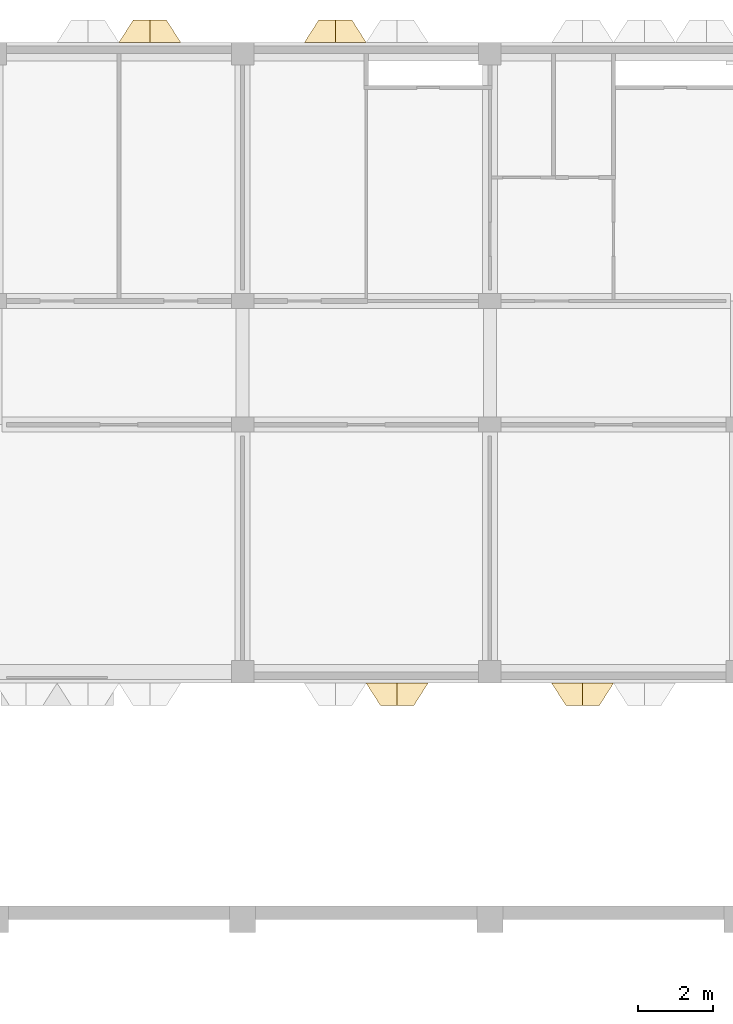
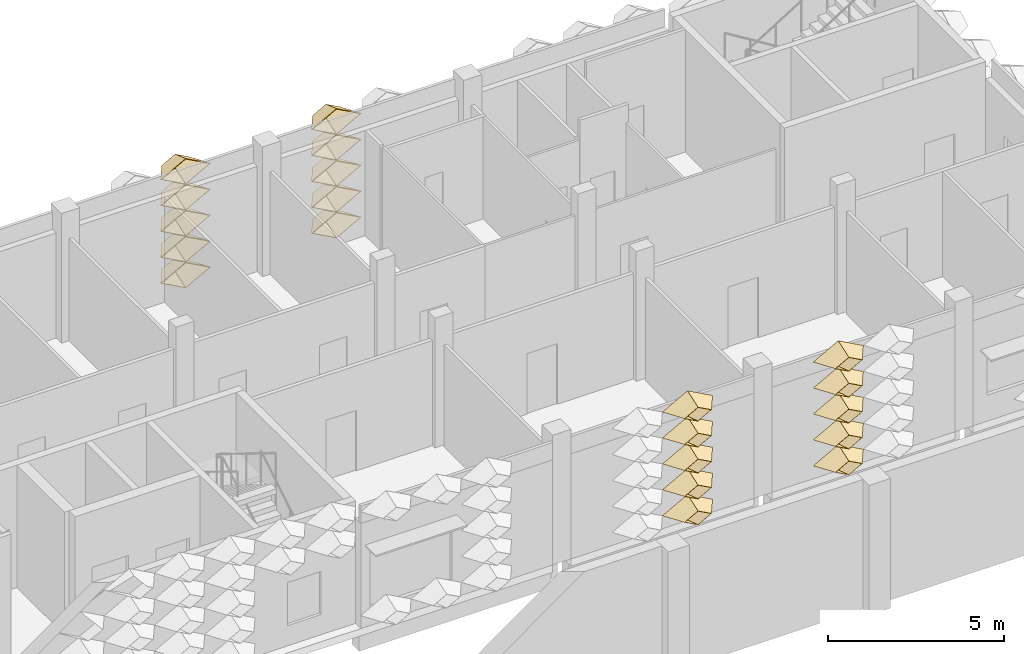
# One storey, part 82 of 87: 20 coverings.
"""IFC4 building model written with IfcOpenShell, lengths in metres."""

from ifc_helpers import new_model, entity, si_unit, direction, frame, origin, place, context, subcontext, project, spatial, material, layer, layer_set, type_object, element, save


model = new_model("IFC4")

# Units and contexts
model_context = context("Model", 3, precision=1e-05, world=origin(), true_north=direction((0.0, 1.0)))
body_context = subcontext(model_context, "Body", "Model", "MODEL_VIEW")
ifc_project = project(units=[si_unit("LENGTHUNIT", "METRE"), si_unit("AREAUNIT", "SQUARE_METRE"), si_unit("VOLUMEUNIT", "CUBIC_METRE"), si_unit("PLANEANGLEUNIT", "RADIAN"), si_unit("MASSUNIT", "GRAM", prefix="KILO")], contexts=[model_context])

# Site, building, storey
site_placement = place(None, origin())
site = spatial("IfcSite", under=ifc_project, at=site_placement, CompositionType="ELEMENT")
building_placement = place(site_placement, origin())
building = spatial("IfcBuilding", under=site, at=building_placement, Name="Lantern Court Research Institute", CompositionType="ELEMENT")
storey_placement = place(building_placement, frame((0.0, 0.0, 5.39990234375)))
storey = spatial("IfcBuildingStorey", under=building, at=storey_placement, Name="L01", CompositionType="ELEMENT", Elevation=5.39990234375)

# Coverings
ifc_material = material(Name="Anodised aluminium", Category="aluminium")
ifc_layer = layer(ifc_material, 0.01611328125)
ifc_layer_set = layer_set([ifc_layer], Name="Anodised aluminium")
covering_type = type_object("IfcCoveringType", Name="Fin cassette 1650 x 900 x 600 aluminium", PredefinedType="CLADDING", material=ifc_layer_set)
covering_1_placement = place(storey_placement, frame((56.925048828125, 99.300048828125, 0.4501953125), z_axis=(0.0, 1.0, 0.0), x_axis=(-1.0, 0.0, 0.0)))
cartesian_point_1 = entity("IfcCartesianPoint", [0.824951171875, 0.0])
cartesian_point_2 = entity("IfcCartesianPoint", [0.79150390625, 0.0])
cartesian_point_3 = entity("IfcCartesianPoint", [0.44189453125, 0.0])
cartesian_point_4 = entity("IfcCartesianPoint", [0.43359375, 0.0])
element("IfcCovering", 1, at=covering_1_placement, inside=storey, type_object=covering_type, Name="Fin cassette V6N-L01 1.35", PredefinedType="CLADDING", context=body_context, shape_type="SweptSolid", body=[
    entity("IfcExtrudedAreaSolidTapered", entity("IfcArbitraryProfileDefWithVoids", "AREA", None, entity("IfcPolyline", [cartesian_point_1, entity("IfcCartesianPoint", [0.0, 0.449951171875]), entity("IfcCartesianPoint", [-0.824951171875, 0.0]), entity("IfcCartesianPoint", [0.0, -0.449951171875]), cartesian_point_1]), [entity("IfcPolyline", [cartesian_point_2, entity("IfcCartesianPoint", [0.0, 0.431884765625]), entity("IfcCartesianPoint", [-0.79150390625, 0.0]), entity("IfcCartesianPoint", [0.0, -0.431884765625]), cartesian_point_2])]), entity("IfcAxis2Placement3D", entity("IfcCartesianPoint", [0.0, 0.0, 0.0])), entity("IfcDirection", [0.0, 0.0, 1.0]), 0.60009765625, entity("IfcArbitraryProfileDefWithVoids", "AREA", None, entity("IfcPolyline", [cartesian_point_3, entity("IfcCartesianPoint", [0.0, 0.240966796875]), entity("IfcCartesianPoint", [-0.44189453125, 0.0]), entity("IfcCartesianPoint", [0.0, -0.240966796875]), cartesian_point_3]), [entity("IfcPolyline", [cartesian_point_4, entity("IfcCartesianPoint", [0.0, 0.236572265625]), entity("IfcCartesianPoint", [-0.43359375, 0.0]), entity("IfcCartesianPoint", [0.0, -0.236572265625]), cartesian_point_4])])),
])
covering_2_placement = place(storey_placement, frame((61.875, 99.300048828125, 0.4501953125), z_axis=(0.0, 1.0, 0.0), x_axis=(-1.0, 0.0, 0.0)))
cartesian_point_5 = entity("IfcCartesianPoint", [0.824951171875, 0.0])
cartesian_point_6 = entity("IfcCartesianPoint", [0.79150390625, 0.0])
cartesian_point_7 = entity("IfcCartesianPoint", [0.44189453125, 0.0])
cartesian_point_8 = entity("IfcCartesianPoint", [0.43359375, 0.0])
element("IfcCovering", 2, at=covering_2_placement, inside=storey, type_object=covering_type, Name="Fin cassette V6N-L01 1.38", PredefinedType="CLADDING", context=body_context, shape_type="SweptSolid", body=[
    entity("IfcExtrudedAreaSolidTapered", entity("IfcArbitraryProfileDefWithVoids", "AREA", None, entity("IfcPolyline", [cartesian_point_5, entity("IfcCartesianPoint", [0.0, 0.449951171875]), entity("IfcCartesianPoint", [-0.824951171875, 0.0]), entity("IfcCartesianPoint", [0.0, -0.449951171875]), cartesian_point_5]), [entity("IfcPolyline", [cartesian_point_6, entity("IfcCartesianPoint", [0.0, 0.431884765625]), entity("IfcCartesianPoint", [-0.79150390625, 0.0]), entity("IfcCartesianPoint", [0.0, -0.431884765625]), cartesian_point_6])]), entity("IfcAxis2Placement3D", entity("IfcCartesianPoint", [0.0, 0.0, 0.0])), entity("IfcDirection", [0.0, 0.0, 1.0]), 0.60009765625, entity("IfcArbitraryProfileDefWithVoids", "AREA", None, entity("IfcPolyline", [cartesian_point_7, entity("IfcCartesianPoint", [0.0, 0.240966796875]), entity("IfcCartesianPoint", [-0.44189453125, 0.0]), entity("IfcCartesianPoint", [0.0, -0.240966796875]), cartesian_point_7]), [entity("IfcPolyline", [cartesian_point_8, entity("IfcCartesianPoint", [0.0, 0.236572265625]), entity("IfcCartesianPoint", [-0.43359375, 0.0]), entity("IfcCartesianPoint", [0.0, -0.236572265625]), cartesian_point_8])])),
])
covering_3_placement = place(storey_placement, frame((56.925048828125, 99.300048828125, 1.35009765625), z_axis=(0.0, 1.0, 0.0), x_axis=(-1.0, 0.0, 0.0)))
cartesian_point_9 = entity("IfcCartesianPoint", [0.824951171875, 0.0])
cartesian_point_10 = entity("IfcCartesianPoint", [0.79150390625, 0.0])
cartesian_point_11 = entity("IfcCartesianPoint", [0.44189453125, 0.0])
cartesian_point_12 = entity("IfcCartesianPoint", [0.43359375, 0.0])
element("IfcCovering", 3, at=covering_3_placement, inside=storey, type_object=covering_type, Name="Fin cassette V6N-L01 2.35", PredefinedType="CLADDING", context=body_context, shape_type="SweptSolid", body=[
    entity("IfcExtrudedAreaSolidTapered", entity("IfcArbitraryProfileDefWithVoids", "AREA", None, entity("IfcPolyline", [cartesian_point_9, entity("IfcCartesianPoint", [0.0, 0.449951171875]), entity("IfcCartesianPoint", [-0.824951171875, 0.0]), entity("IfcCartesianPoint", [0.0, -0.449951171875]), cartesian_point_9]), [entity("IfcPolyline", [cartesian_point_10, entity("IfcCartesianPoint", [0.0, 0.431884765625]), entity("IfcCartesianPoint", [-0.79150390625, 0.0]), entity("IfcCartesianPoint", [0.0, -0.431884765625]), cartesian_point_10])]), entity("IfcAxis2Placement3D", entity("IfcCartesianPoint", [0.0, 0.0, 0.0])), entity("IfcDirection", [0.0, 0.0, 1.0]), 0.60009765625, entity("IfcArbitraryProfileDefWithVoids", "AREA", None, entity("IfcPolyline", [cartesian_point_11, entity("IfcCartesianPoint", [0.0, 0.240966796875]), entity("IfcCartesianPoint", [-0.44189453125, 0.0]), entity("IfcCartesianPoint", [0.0, -0.240966796875]), cartesian_point_11]), [entity("IfcPolyline", [cartesian_point_12, entity("IfcCartesianPoint", [0.0, 0.236572265625]), entity("IfcCartesianPoint", [-0.43359375, 0.0]), entity("IfcCartesianPoint", [0.0, -0.236572265625]), cartesian_point_12])])),
])
covering_4_placement = place(storey_placement, frame((61.875, 99.300048828125, 1.35009765625), z_axis=(0.0, 1.0, 0.0), x_axis=(-1.0, 0.0, 0.0)))
cartesian_point_13 = entity("IfcCartesianPoint", [0.824951171875, 0.0])
cartesian_point_14 = entity("IfcCartesianPoint", [0.79150390625, 0.0])
cartesian_point_15 = entity("IfcCartesianPoint", [0.44189453125, 0.0])
cartesian_point_16 = entity("IfcCartesianPoint", [0.43359375, 0.0])
element("IfcCovering", 4, at=covering_4_placement, inside=storey, type_object=covering_type, Name="Fin cassette V6N-L01 2.38", PredefinedType="CLADDING", context=body_context, shape_type="SweptSolid", body=[
    entity("IfcExtrudedAreaSolidTapered", entity("IfcArbitraryProfileDefWithVoids", "AREA", None, entity("IfcPolyline", [cartesian_point_13, entity("IfcCartesianPoint", [0.0, 0.449951171875]), entity("IfcCartesianPoint", [-0.824951171875, 0.0]), entity("IfcCartesianPoint", [0.0, -0.449951171875]), cartesian_point_13]), [entity("IfcPolyline", [cartesian_point_14, entity("IfcCartesianPoint", [0.0, 0.431884765625]), entity("IfcCartesianPoint", [-0.79150390625, 0.0]), entity("IfcCartesianPoint", [0.0, -0.431884765625]), cartesian_point_14])]), entity("IfcAxis2Placement3D", entity("IfcCartesianPoint", [0.0, 0.0, 0.0])), entity("IfcDirection", [0.0, 0.0, 1.0]), 0.60009765625, entity("IfcArbitraryProfileDefWithVoids", "AREA", None, entity("IfcPolyline", [cartesian_point_15, entity("IfcCartesianPoint", [0.0, 0.240966796875]), entity("IfcCartesianPoint", [-0.44189453125, 0.0]), entity("IfcCartesianPoint", [0.0, -0.240966796875]), cartesian_point_15]), [entity("IfcPolyline", [cartesian_point_16, entity("IfcCartesianPoint", [0.0, 0.236572265625]), entity("IfcCartesianPoint", [-0.43359375, 0.0]), entity("IfcCartesianPoint", [0.0, -0.236572265625]), cartesian_point_16])])),
])
covering_5_placement = place(storey_placement, frame((56.925048828125, 99.300048828125, 2.25), z_axis=(0.0, 1.0, 0.0), x_axis=(-1.0, 0.0, 0.0)))
cartesian_point_17 = entity("IfcCartesianPoint", [0.824951171875, 0.0])
cartesian_point_18 = entity("IfcCartesianPoint", [0.79150390625, 0.0])
cartesian_point_19 = entity("IfcCartesianPoint", [0.44189453125, 0.0])
cartesian_point_20 = entity("IfcCartesianPoint", [0.43359375, 0.0])
element("IfcCovering", 5, at=covering_5_placement, inside=storey, type_object=covering_type, Name="Fin cassette V6N-L01 3.35", PredefinedType="CLADDING", context=body_context, shape_type="SweptSolid", body=[
    entity("IfcExtrudedAreaSolidTapered", entity("IfcArbitraryProfileDefWithVoids", "AREA", None, entity("IfcPolyline", [cartesian_point_17, entity("IfcCartesianPoint", [0.0, 0.449951171875]), entity("IfcCartesianPoint", [-0.824951171875, 0.0]), entity("IfcCartesianPoint", [0.0, -0.449951171875]), cartesian_point_17]), [entity("IfcPolyline", [cartesian_point_18, entity("IfcCartesianPoint", [0.0, 0.431884765625]), entity("IfcCartesianPoint", [-0.79150390625, 0.0]), entity("IfcCartesianPoint", [0.0, -0.431884765625]), cartesian_point_18])]), entity("IfcAxis2Placement3D", entity("IfcCartesianPoint", [0.0, 0.0, 0.0])), entity("IfcDirection", [0.0, 0.0, 1.0]), 0.60009765625, entity("IfcArbitraryProfileDefWithVoids", "AREA", None, entity("IfcPolyline", [cartesian_point_19, entity("IfcCartesianPoint", [0.0, 0.240966796875]), entity("IfcCartesianPoint", [-0.44189453125, 0.0]), entity("IfcCartesianPoint", [0.0, -0.240966796875]), cartesian_point_19]), [entity("IfcPolyline", [cartesian_point_20, entity("IfcCartesianPoint", [0.0, 0.236572265625]), entity("IfcCartesianPoint", [-0.43359375, 0.0]), entity("IfcCartesianPoint", [0.0, -0.236572265625]), cartesian_point_20])])),
])
covering_6_placement = place(storey_placement, frame((61.875, 99.300048828125, 2.25), z_axis=(0.0, 1.0, 0.0), x_axis=(-1.0, 0.0, 0.0)))
cartesian_point_21 = entity("IfcCartesianPoint", [0.824951171875, 0.0])
cartesian_point_22 = entity("IfcCartesianPoint", [0.79150390625, 0.0])
cartesian_point_23 = entity("IfcCartesianPoint", [0.44189453125, 0.0])
cartesian_point_24 = entity("IfcCartesianPoint", [0.43359375, 0.0])
element("IfcCovering", 6, at=covering_6_placement, inside=storey, type_object=covering_type, Name="Fin cassette V6N-L01 3.38", PredefinedType="CLADDING", context=body_context, shape_type="SweptSolid", body=[
    entity("IfcExtrudedAreaSolidTapered", entity("IfcArbitraryProfileDefWithVoids", "AREA", None, entity("IfcPolyline", [cartesian_point_21, entity("IfcCartesianPoint", [0.0, 0.449951171875]), entity("IfcCartesianPoint", [-0.824951171875, 0.0]), entity("IfcCartesianPoint", [0.0, -0.449951171875]), cartesian_point_21]), [entity("IfcPolyline", [cartesian_point_22, entity("IfcCartesianPoint", [0.0, 0.431884765625]), entity("IfcCartesianPoint", [-0.79150390625, 0.0]), entity("IfcCartesianPoint", [0.0, -0.431884765625]), cartesian_point_22])]), entity("IfcAxis2Placement3D", entity("IfcCartesianPoint", [0.0, 0.0, 0.0])), entity("IfcDirection", [0.0, 0.0, 1.0]), 0.60009765625, entity("IfcArbitraryProfileDefWithVoids", "AREA", None, entity("IfcPolyline", [cartesian_point_23, entity("IfcCartesianPoint", [0.0, 0.240966796875]), entity("IfcCartesianPoint", [-0.44189453125, 0.0]), entity("IfcCartesianPoint", [0.0, -0.240966796875]), cartesian_point_23]), [entity("IfcPolyline", [cartesian_point_24, entity("IfcCartesianPoint", [0.0, 0.236572265625]), entity("IfcCartesianPoint", [-0.43359375, 0.0]), entity("IfcCartesianPoint", [0.0, -0.236572265625]), cartesian_point_24])])),
])
covering_7_placement = place(storey_placement, frame((56.925048828125, 99.300048828125, 3.150146484375), z_axis=(0.0, 1.0, 0.0), x_axis=(-1.0, 0.0, 0.0)))
cartesian_point_25 = entity("IfcCartesianPoint", [0.824951171875, 0.0])
cartesian_point_26 = entity("IfcCartesianPoint", [0.79150390625, 0.0])
cartesian_point_27 = entity("IfcCartesianPoint", [0.44189453125, 0.0])
cartesian_point_28 = entity("IfcCartesianPoint", [0.43359375, 0.0])
element("IfcCovering", 7, at=covering_7_placement, inside=storey, type_object=covering_type, Name="Fin cassette V6N-L01 4.35", PredefinedType="CLADDING", context=body_context, shape_type="SweptSolid", body=[
    entity("IfcExtrudedAreaSolidTapered", entity("IfcArbitraryProfileDefWithVoids", "AREA", None, entity("IfcPolyline", [cartesian_point_25, entity("IfcCartesianPoint", [0.0, 0.449951171875]), entity("IfcCartesianPoint", [-0.824951171875, 0.0]), entity("IfcCartesianPoint", [0.0, -0.449951171875]), cartesian_point_25]), [entity("IfcPolyline", [cartesian_point_26, entity("IfcCartesianPoint", [0.0, 0.431884765625]), entity("IfcCartesianPoint", [-0.79150390625, 0.0]), entity("IfcCartesianPoint", [0.0, -0.431884765625]), cartesian_point_26])]), entity("IfcAxis2Placement3D", entity("IfcCartesianPoint", [0.0, 0.0, 0.0])), entity("IfcDirection", [0.0, 0.0, 1.0]), 0.60009765625, entity("IfcArbitraryProfileDefWithVoids", "AREA", None, entity("IfcPolyline", [cartesian_point_27, entity("IfcCartesianPoint", [0.0, 0.240966796875]), entity("IfcCartesianPoint", [-0.44189453125, 0.0]), entity("IfcCartesianPoint", [0.0, -0.240966796875]), cartesian_point_27]), [entity("IfcPolyline", [cartesian_point_28, entity("IfcCartesianPoint", [0.0, 0.236572265625]), entity("IfcCartesianPoint", [-0.43359375, 0.0]), entity("IfcCartesianPoint", [0.0, -0.236572265625]), cartesian_point_28])])),
])
covering_8_placement = place(storey_placement, frame((61.875, 99.300048828125, 3.150146484375), z_axis=(0.0, 1.0, 0.0), x_axis=(-1.0, 0.0, 0.0)))
cartesian_point_29 = entity("IfcCartesianPoint", [0.824951171875, 0.0])
cartesian_point_30 = entity("IfcCartesianPoint", [0.79150390625, 0.0])
cartesian_point_31 = entity("IfcCartesianPoint", [0.44189453125, 0.0])
cartesian_point_32 = entity("IfcCartesianPoint", [0.43359375, 0.0])
element("IfcCovering", 8, at=covering_8_placement, inside=storey, type_object=covering_type, Name="Fin cassette V6N-L01 4.38", PredefinedType="CLADDING", context=body_context, shape_type="SweptSolid", body=[
    entity("IfcExtrudedAreaSolidTapered", entity("IfcArbitraryProfileDefWithVoids", "AREA", None, entity("IfcPolyline", [cartesian_point_29, entity("IfcCartesianPoint", [0.0, 0.449951171875]), entity("IfcCartesianPoint", [-0.824951171875, 0.0]), entity("IfcCartesianPoint", [0.0, -0.449951171875]), cartesian_point_29]), [entity("IfcPolyline", [cartesian_point_30, entity("IfcCartesianPoint", [0.0, 0.431884765625]), entity("IfcCartesianPoint", [-0.79150390625, 0.0]), entity("IfcCartesianPoint", [0.0, -0.431884765625]), cartesian_point_30])]), entity("IfcAxis2Placement3D", entity("IfcCartesianPoint", [0.0, 0.0, 0.0])), entity("IfcDirection", [0.0, 0.0, 1.0]), 0.60009765625, entity("IfcArbitraryProfileDefWithVoids", "AREA", None, entity("IfcPolyline", [cartesian_point_31, entity("IfcCartesianPoint", [0.0, 0.240966796875]), entity("IfcCartesianPoint", [-0.44189453125, 0.0]), entity("IfcCartesianPoint", [0.0, -0.240966796875]), cartesian_point_31]), [entity("IfcPolyline", [cartesian_point_32, entity("IfcCartesianPoint", [0.0, 0.236572265625]), entity("IfcCartesianPoint", [-0.43359375, 0.0]), entity("IfcCartesianPoint", [0.0, -0.236572265625]), cartesian_point_32])])),
])
covering_9_placement = place(storey_placement, frame((56.925048828125, 99.300048828125, 4.050048828125), z_axis=(0.0, 1.0, 0.0), x_axis=(-1.0, 0.0, 0.0)))
cartesian_point_33 = entity("IfcCartesianPoint", [0.824951171875, 0.0])
cartesian_point_34 = entity("IfcCartesianPoint", [0.79150390625, 0.0])
cartesian_point_35 = entity("IfcCartesianPoint", [0.44189453125, 0.0])
cartesian_point_36 = entity("IfcCartesianPoint", [0.43359375, 0.0])
element("IfcCovering", 9, at=covering_9_placement, inside=storey, type_object=covering_type, Name="Fin cassette V6N-L01 5.35", PredefinedType="CLADDING", context=body_context, shape_type="SweptSolid", body=[
    entity("IfcExtrudedAreaSolidTapered", entity("IfcArbitraryProfileDefWithVoids", "AREA", None, entity("IfcPolyline", [cartesian_point_33, entity("IfcCartesianPoint", [0.0, 0.449951171875]), entity("IfcCartesianPoint", [-0.824951171875, 0.0]), entity("IfcCartesianPoint", [0.0, -0.449951171875]), cartesian_point_33]), [entity("IfcPolyline", [cartesian_point_34, entity("IfcCartesianPoint", [0.0, 0.431884765625]), entity("IfcCartesianPoint", [-0.79150390625, 0.0]), entity("IfcCartesianPoint", [0.0, -0.431884765625]), cartesian_point_34])]), entity("IfcAxis2Placement3D", entity("IfcCartesianPoint", [0.0, 0.0, 0.0])), entity("IfcDirection", [0.0, 0.0, 1.0]), 0.60009765625, entity("IfcArbitraryProfileDefWithVoids", "AREA", None, entity("IfcPolyline", [cartesian_point_35, entity("IfcCartesianPoint", [0.0, 0.240966796875]), entity("IfcCartesianPoint", [-0.44189453125, 0.0]), entity("IfcCartesianPoint", [0.0, -0.240966796875]), cartesian_point_35]), [entity("IfcPolyline", [cartesian_point_36, entity("IfcCartesianPoint", [0.0, 0.236572265625]), entity("IfcCartesianPoint", [-0.43359375, 0.0]), entity("IfcCartesianPoint", [0.0, -0.236572265625]), cartesian_point_36])])),
])
covering_10_placement = place(storey_placement, frame((61.875, 99.300048828125, 4.050048828125), z_axis=(0.0, 1.0, 0.0), x_axis=(-1.0, 0.0, 0.0)))
cartesian_point_37 = entity("IfcCartesianPoint", [0.824951171875, 0.0])
cartesian_point_38 = entity("IfcCartesianPoint", [0.79150390625, 0.0])
cartesian_point_39 = entity("IfcCartesianPoint", [0.44189453125, 0.0])
cartesian_point_40 = entity("IfcCartesianPoint", [0.43359375, 0.0])
element("IfcCovering", 10, at=covering_10_placement, inside=storey, type_object=covering_type, Name="Fin cassette V6N-L01 5.38", PredefinedType="CLADDING", context=body_context, shape_type="SweptSolid", body=[
    entity("IfcExtrudedAreaSolidTapered", entity("IfcArbitraryProfileDefWithVoids", "AREA", None, entity("IfcPolyline", [cartesian_point_37, entity("IfcCartesianPoint", [0.0, 0.449951171875]), entity("IfcCartesianPoint", [-0.824951171875, 0.0]), entity("IfcCartesianPoint", [0.0, -0.449951171875]), cartesian_point_37]), [entity("IfcPolyline", [cartesian_point_38, entity("IfcCartesianPoint", [0.0, 0.431884765625]), entity("IfcCartesianPoint", [-0.79150390625, 0.0]), entity("IfcCartesianPoint", [0.0, -0.431884765625]), cartesian_point_38])]), entity("IfcAxis2Placement3D", entity("IfcCartesianPoint", [0.0, 0.0, 0.0])), entity("IfcDirection", [0.0, 0.0, 1.0]), 0.60009765625, entity("IfcArbitraryProfileDefWithVoids", "AREA", None, entity("IfcPolyline", [cartesian_point_39, entity("IfcCartesianPoint", [0.0, 0.240966796875]), entity("IfcCartesianPoint", [-0.44189453125, 0.0]), entity("IfcCartesianPoint", [0.0, -0.240966796875]), cartesian_point_39]), [entity("IfcPolyline", [cartesian_point_40, entity("IfcCartesianPoint", [0.0, 0.236572265625]), entity("IfcCartesianPoint", [-0.43359375, 0.0]), entity("IfcCartesianPoint", [0.0, -0.236572265625]), cartesian_point_40])])),
])
covering_11_placement = place(storey_placement, frame((63.52490234375, 82.199951171875, 0.4501953125), z_axis=(0.0, -1.0, 0.0), x_axis=(1.0, 0.0, 0.0)))
cartesian_point_41 = entity("IfcCartesianPoint", [0.824951171875, 0.0])
cartesian_point_42 = entity("IfcCartesianPoint", [0.79150390625, 0.0])
cartesian_point_43 = entity("IfcCartesianPoint", [0.44189453125, 0.0])
cartesian_point_44 = entity("IfcCartesianPoint", [0.43359375, 0.0])
element("IfcCovering", 11, at=covering_11_placement, inside=storey, type_object=covering_type, Name="Fin cassette V6S-L01 1.39", PredefinedType="CLADDING", context=body_context, shape_type="SweptSolid", body=[
    entity("IfcExtrudedAreaSolidTapered", entity("IfcArbitraryProfileDefWithVoids", "AREA", None, entity("IfcPolyline", [cartesian_point_41, entity("IfcCartesianPoint", [0.0, 0.449951171875]), entity("IfcCartesianPoint", [-0.824951171875, 0.0]), entity("IfcCartesianPoint", [0.0, -0.449951171875]), cartesian_point_41]), [entity("IfcPolyline", [cartesian_point_42, entity("IfcCartesianPoint", [0.0, 0.431884765625]), entity("IfcCartesianPoint", [-0.79150390625, 0.0]), entity("IfcCartesianPoint", [0.0, -0.431884765625]), cartesian_point_42])]), entity("IfcAxis2Placement3D", entity("IfcCartesianPoint", [0.0, 0.0, 0.0])), entity("IfcDirection", [0.0, 0.0, 1.0]), 0.60009765625, entity("IfcArbitraryProfileDefWithVoids", "AREA", None, entity("IfcPolyline", [cartesian_point_43, entity("IfcCartesianPoint", [0.0, 0.240966796875]), entity("IfcCartesianPoint", [-0.44189453125, 0.0]), entity("IfcCartesianPoint", [0.0, -0.240966796875]), cartesian_point_43]), [entity("IfcPolyline", [cartesian_point_44, entity("IfcCartesianPoint", [0.0, 0.236572265625]), entity("IfcCartesianPoint", [-0.43359375, 0.0]), entity("IfcCartesianPoint", [0.0, -0.236572265625]), cartesian_point_44])])),
])
covering_12_placement = place(storey_placement, frame((68.47509765625, 82.199951171875, 0.4501953125), z_axis=(0.0, -1.0, 0.0), x_axis=(1.0, 0.0, 0.0)))
cartesian_point_45 = entity("IfcCartesianPoint", [0.824951171875, 0.0])
cartesian_point_46 = entity("IfcCartesianPoint", [0.79150390625, 0.0])
cartesian_point_47 = entity("IfcCartesianPoint", [0.44189453125, 0.0])
cartesian_point_48 = entity("IfcCartesianPoint", [0.43359375, 0.0])
element("IfcCovering", 12, at=covering_12_placement, inside=storey, type_object=covering_type, Name="Fin cassette V6S-L01 1.42", PredefinedType="CLADDING", context=body_context, shape_type="SweptSolid", body=[
    entity("IfcExtrudedAreaSolidTapered", entity("IfcArbitraryProfileDefWithVoids", "AREA", None, entity("IfcPolyline", [cartesian_point_45, entity("IfcCartesianPoint", [0.0, 0.449951171875]), entity("IfcCartesianPoint", [-0.824951171875, 0.0]), entity("IfcCartesianPoint", [0.0, -0.449951171875]), cartesian_point_45]), [entity("IfcPolyline", [cartesian_point_46, entity("IfcCartesianPoint", [0.0, 0.431884765625]), entity("IfcCartesianPoint", [-0.79150390625, 0.0]), entity("IfcCartesianPoint", [0.0, -0.431884765625]), cartesian_point_46])]), entity("IfcAxis2Placement3D", entity("IfcCartesianPoint", [0.0, 0.0, 0.0])), entity("IfcDirection", [0.0, 0.0, 1.0]), 0.60009765625, entity("IfcArbitraryProfileDefWithVoids", "AREA", None, entity("IfcPolyline", [cartesian_point_47, entity("IfcCartesianPoint", [0.0, 0.240966796875]), entity("IfcCartesianPoint", [-0.44189453125, 0.0]), entity("IfcCartesianPoint", [0.0, -0.240966796875]), cartesian_point_47]), [entity("IfcPolyline", [cartesian_point_48, entity("IfcCartesianPoint", [0.0, 0.236572265625]), entity("IfcCartesianPoint", [-0.43359375, 0.0]), entity("IfcCartesianPoint", [0.0, -0.236572265625]), cartesian_point_48])])),
])
covering_13_placement = place(storey_placement, frame((63.52490234375, 82.199951171875, 1.35009765625), z_axis=(0.0, -1.0, 0.0), x_axis=(1.0, 0.0, 0.0)))
cartesian_point_49 = entity("IfcCartesianPoint", [0.824951171875, 0.0])
cartesian_point_50 = entity("IfcCartesianPoint", [0.79150390625, 0.0])
cartesian_point_51 = entity("IfcCartesianPoint", [0.44189453125, 0.0])
cartesian_point_52 = entity("IfcCartesianPoint", [0.43359375, 0.0])
element("IfcCovering", 13, at=covering_13_placement, inside=storey, type_object=covering_type, Name="Fin cassette V6S-L01 2.39", PredefinedType="CLADDING", context=body_context, shape_type="SweptSolid", body=[
    entity("IfcExtrudedAreaSolidTapered", entity("IfcArbitraryProfileDefWithVoids", "AREA", None, entity("IfcPolyline", [cartesian_point_49, entity("IfcCartesianPoint", [0.0, 0.449951171875]), entity("IfcCartesianPoint", [-0.824951171875, 0.0]), entity("IfcCartesianPoint", [0.0, -0.449951171875]), cartesian_point_49]), [entity("IfcPolyline", [cartesian_point_50, entity("IfcCartesianPoint", [0.0, 0.431884765625]), entity("IfcCartesianPoint", [-0.79150390625, 0.0]), entity("IfcCartesianPoint", [0.0, -0.431884765625]), cartesian_point_50])]), entity("IfcAxis2Placement3D", entity("IfcCartesianPoint", [0.0, 0.0, 0.0])), entity("IfcDirection", [0.0, 0.0, 1.0]), 0.60009765625, entity("IfcArbitraryProfileDefWithVoids", "AREA", None, entity("IfcPolyline", [cartesian_point_51, entity("IfcCartesianPoint", [0.0, 0.240966796875]), entity("IfcCartesianPoint", [-0.44189453125, 0.0]), entity("IfcCartesianPoint", [0.0, -0.240966796875]), cartesian_point_51]), [entity("IfcPolyline", [cartesian_point_52, entity("IfcCartesianPoint", [0.0, 0.236572265625]), entity("IfcCartesianPoint", [-0.43359375, 0.0]), entity("IfcCartesianPoint", [0.0, -0.236572265625]), cartesian_point_52])])),
])
covering_14_placement = place(storey_placement, frame((68.47509765625, 82.199951171875, 1.35009765625), z_axis=(0.0, -1.0, 0.0), x_axis=(1.0, 0.0, 0.0)))
cartesian_point_53 = entity("IfcCartesianPoint", [0.824951171875, 0.0])
cartesian_point_54 = entity("IfcCartesianPoint", [0.79150390625, 0.0])
cartesian_point_55 = entity("IfcCartesianPoint", [0.44189453125, 0.0])
cartesian_point_56 = entity("IfcCartesianPoint", [0.43359375, 0.0])
element("IfcCovering", 14, at=covering_14_placement, inside=storey, type_object=covering_type, Name="Fin cassette V6S-L01 2.42", PredefinedType="CLADDING", context=body_context, shape_type="SweptSolid", body=[
    entity("IfcExtrudedAreaSolidTapered", entity("IfcArbitraryProfileDefWithVoids", "AREA", None, entity("IfcPolyline", [cartesian_point_53, entity("IfcCartesianPoint", [0.0, 0.449951171875]), entity("IfcCartesianPoint", [-0.824951171875, 0.0]), entity("IfcCartesianPoint", [0.0, -0.449951171875]), cartesian_point_53]), [entity("IfcPolyline", [cartesian_point_54, entity("IfcCartesianPoint", [0.0, 0.431884765625]), entity("IfcCartesianPoint", [-0.79150390625, 0.0]), entity("IfcCartesianPoint", [0.0, -0.431884765625]), cartesian_point_54])]), entity("IfcAxis2Placement3D", entity("IfcCartesianPoint", [0.0, 0.0, 0.0])), entity("IfcDirection", [0.0, 0.0, 1.0]), 0.60009765625, entity("IfcArbitraryProfileDefWithVoids", "AREA", None, entity("IfcPolyline", [cartesian_point_55, entity("IfcCartesianPoint", [0.0, 0.240966796875]), entity("IfcCartesianPoint", [-0.44189453125, 0.0]), entity("IfcCartesianPoint", [0.0, -0.240966796875]), cartesian_point_55]), [entity("IfcPolyline", [cartesian_point_56, entity("IfcCartesianPoint", [0.0, 0.236572265625]), entity("IfcCartesianPoint", [-0.43359375, 0.0]), entity("IfcCartesianPoint", [0.0, -0.236572265625]), cartesian_point_56])])),
])
covering_15_placement = place(storey_placement, frame((63.52490234375, 82.199951171875, 2.25), z_axis=(0.0, -1.0, 0.0), x_axis=(1.0, 0.0, 0.0)))
cartesian_point_57 = entity("IfcCartesianPoint", [0.824951171875, 0.0])
cartesian_point_58 = entity("IfcCartesianPoint", [0.79150390625, 0.0])
cartesian_point_59 = entity("IfcCartesianPoint", [0.44189453125, 0.0])
cartesian_point_60 = entity("IfcCartesianPoint", [0.43359375, 0.0])
element("IfcCovering", 15, at=covering_15_placement, inside=storey, type_object=covering_type, Name="Fin cassette V6S-L01 3.39", PredefinedType="CLADDING", context=body_context, shape_type="SweptSolid", body=[
    entity("IfcExtrudedAreaSolidTapered", entity("IfcArbitraryProfileDefWithVoids", "AREA", None, entity("IfcPolyline", [cartesian_point_57, entity("IfcCartesianPoint", [0.0, 0.449951171875]), entity("IfcCartesianPoint", [-0.824951171875, 0.0]), entity("IfcCartesianPoint", [0.0, -0.449951171875]), cartesian_point_57]), [entity("IfcPolyline", [cartesian_point_58, entity("IfcCartesianPoint", [0.0, 0.431884765625]), entity("IfcCartesianPoint", [-0.79150390625, 0.0]), entity("IfcCartesianPoint", [0.0, -0.431884765625]), cartesian_point_58])]), entity("IfcAxis2Placement3D", entity("IfcCartesianPoint", [0.0, 0.0, 0.0])), entity("IfcDirection", [0.0, 0.0, 1.0]), 0.60009765625, entity("IfcArbitraryProfileDefWithVoids", "AREA", None, entity("IfcPolyline", [cartesian_point_59, entity("IfcCartesianPoint", [0.0, 0.240966796875]), entity("IfcCartesianPoint", [-0.44189453125, 0.0]), entity("IfcCartesianPoint", [0.0, -0.240966796875]), cartesian_point_59]), [entity("IfcPolyline", [cartesian_point_60, entity("IfcCartesianPoint", [0.0, 0.236572265625]), entity("IfcCartesianPoint", [-0.43359375, 0.0]), entity("IfcCartesianPoint", [0.0, -0.236572265625]), cartesian_point_60])])),
])
covering_16_placement = place(storey_placement, frame((68.47509765625, 82.199951171875, 2.25), z_axis=(0.0, -1.0, 0.0), x_axis=(1.0, 0.0, 0.0)))
cartesian_point_61 = entity("IfcCartesianPoint", [0.824951171875, 0.0])
cartesian_point_62 = entity("IfcCartesianPoint", [0.79150390625, 0.0])
cartesian_point_63 = entity("IfcCartesianPoint", [0.44189453125, 0.0])
cartesian_point_64 = entity("IfcCartesianPoint", [0.43359375, 0.0])
element("IfcCovering", 16, at=covering_16_placement, inside=storey, type_object=covering_type, Name="Fin cassette V6S-L01 3.42", PredefinedType="CLADDING", context=body_context, shape_type="SweptSolid", body=[
    entity("IfcExtrudedAreaSolidTapered", entity("IfcArbitraryProfileDefWithVoids", "AREA", None, entity("IfcPolyline", [cartesian_point_61, entity("IfcCartesianPoint", [0.0, 0.449951171875]), entity("IfcCartesianPoint", [-0.824951171875, 0.0]), entity("IfcCartesianPoint", [0.0, -0.449951171875]), cartesian_point_61]), [entity("IfcPolyline", [cartesian_point_62, entity("IfcCartesianPoint", [0.0, 0.431884765625]), entity("IfcCartesianPoint", [-0.79150390625, 0.0]), entity("IfcCartesianPoint", [0.0, -0.431884765625]), cartesian_point_62])]), entity("IfcAxis2Placement3D", entity("IfcCartesianPoint", [0.0, 0.0, 0.0])), entity("IfcDirection", [0.0, 0.0, 1.0]), 0.60009765625, entity("IfcArbitraryProfileDefWithVoids", "AREA", None, entity("IfcPolyline", [cartesian_point_63, entity("IfcCartesianPoint", [0.0, 0.240966796875]), entity("IfcCartesianPoint", [-0.44189453125, 0.0]), entity("IfcCartesianPoint", [0.0, -0.240966796875]), cartesian_point_63]), [entity("IfcPolyline", [cartesian_point_64, entity("IfcCartesianPoint", [0.0, 0.236572265625]), entity("IfcCartesianPoint", [-0.43359375, 0.0]), entity("IfcCartesianPoint", [0.0, -0.236572265625]), cartesian_point_64])])),
])
covering_17_placement = place(storey_placement, frame((63.52490234375, 82.199951171875, 3.150146484375), z_axis=(0.0, -1.0, 0.0), x_axis=(1.0, 0.0, 0.0)))
cartesian_point_65 = entity("IfcCartesianPoint", [0.824951171875, 0.0])
cartesian_point_66 = entity("IfcCartesianPoint", [0.79150390625, 0.0])
cartesian_point_67 = entity("IfcCartesianPoint", [0.44189453125, 0.0])
cartesian_point_68 = entity("IfcCartesianPoint", [0.43359375, 0.0])
element("IfcCovering", 17, at=covering_17_placement, inside=storey, type_object=covering_type, Name="Fin cassette V6S-L01 4.39", PredefinedType="CLADDING", context=body_context, shape_type="SweptSolid", body=[
    entity("IfcExtrudedAreaSolidTapered", entity("IfcArbitraryProfileDefWithVoids", "AREA", None, entity("IfcPolyline", [cartesian_point_65, entity("IfcCartesianPoint", [0.0, 0.449951171875]), entity("IfcCartesianPoint", [-0.824951171875, 0.0]), entity("IfcCartesianPoint", [0.0, -0.449951171875]), cartesian_point_65]), [entity("IfcPolyline", [cartesian_point_66, entity("IfcCartesianPoint", [0.0, 0.431884765625]), entity("IfcCartesianPoint", [-0.79150390625, 0.0]), entity("IfcCartesianPoint", [0.0, -0.431884765625]), cartesian_point_66])]), entity("IfcAxis2Placement3D", entity("IfcCartesianPoint", [0.0, 0.0, 0.0])), entity("IfcDirection", [0.0, 0.0, 1.0]), 0.60009765625, entity("IfcArbitraryProfileDefWithVoids", "AREA", None, entity("IfcPolyline", [cartesian_point_67, entity("IfcCartesianPoint", [0.0, 0.240966796875]), entity("IfcCartesianPoint", [-0.44189453125, 0.0]), entity("IfcCartesianPoint", [0.0, -0.240966796875]), cartesian_point_67]), [entity("IfcPolyline", [cartesian_point_68, entity("IfcCartesianPoint", [0.0, 0.236572265625]), entity("IfcCartesianPoint", [-0.43359375, 0.0]), entity("IfcCartesianPoint", [0.0, -0.236572265625]), cartesian_point_68])])),
])
covering_18_placement = place(storey_placement, frame((68.47509765625, 82.199951171875, 3.150146484375), z_axis=(0.0, -1.0, 0.0), x_axis=(1.0, 0.0, 0.0)))
cartesian_point_69 = entity("IfcCartesianPoint", [0.824951171875, 0.0])
cartesian_point_70 = entity("IfcCartesianPoint", [0.79150390625, 0.0])
cartesian_point_71 = entity("IfcCartesianPoint", [0.44189453125, 0.0])
cartesian_point_72 = entity("IfcCartesianPoint", [0.43359375, 0.0])
element("IfcCovering", 18, at=covering_18_placement, inside=storey, type_object=covering_type, Name="Fin cassette V6S-L01 4.42", PredefinedType="CLADDING", context=body_context, shape_type="SweptSolid", body=[
    entity("IfcExtrudedAreaSolidTapered", entity("IfcArbitraryProfileDefWithVoids", "AREA", None, entity("IfcPolyline", [cartesian_point_69, entity("IfcCartesianPoint", [0.0, 0.449951171875]), entity("IfcCartesianPoint", [-0.824951171875, 0.0]), entity("IfcCartesianPoint", [0.0, -0.449951171875]), cartesian_point_69]), [entity("IfcPolyline", [cartesian_point_70, entity("IfcCartesianPoint", [0.0, 0.431884765625]), entity("IfcCartesianPoint", [-0.79150390625, 0.0]), entity("IfcCartesianPoint", [0.0, -0.431884765625]), cartesian_point_70])]), entity("IfcAxis2Placement3D", entity("IfcCartesianPoint", [0.0, 0.0, 0.0])), entity("IfcDirection", [0.0, 0.0, 1.0]), 0.60009765625, entity("IfcArbitraryProfileDefWithVoids", "AREA", None, entity("IfcPolyline", [cartesian_point_71, entity("IfcCartesianPoint", [0.0, 0.240966796875]), entity("IfcCartesianPoint", [-0.44189453125, 0.0]), entity("IfcCartesianPoint", [0.0, -0.240966796875]), cartesian_point_71]), [entity("IfcPolyline", [cartesian_point_72, entity("IfcCartesianPoint", [0.0, 0.236572265625]), entity("IfcCartesianPoint", [-0.43359375, 0.0]), entity("IfcCartesianPoint", [0.0, -0.236572265625]), cartesian_point_72])])),
])
covering_19_placement = place(storey_placement, frame((63.52490234375, 82.199951171875, 4.050048828125), z_axis=(0.0, -1.0, 0.0), x_axis=(1.0, 0.0, 0.0)))
cartesian_point_73 = entity("IfcCartesianPoint", [0.824951171875, 0.0])
cartesian_point_74 = entity("IfcCartesianPoint", [0.79150390625, 0.0])
cartesian_point_75 = entity("IfcCartesianPoint", [0.44189453125, 0.0])
cartesian_point_76 = entity("IfcCartesianPoint", [0.43359375, 0.0])
element("IfcCovering", 19, at=covering_19_placement, inside=storey, type_object=covering_type, Name="Fin cassette V6S-L01 5.39", PredefinedType="CLADDING", context=body_context, shape_type="SweptSolid", body=[
    entity("IfcExtrudedAreaSolidTapered", entity("IfcArbitraryProfileDefWithVoids", "AREA", None, entity("IfcPolyline", [cartesian_point_73, entity("IfcCartesianPoint", [0.0, 0.449951171875]), entity("IfcCartesianPoint", [-0.824951171875, 0.0]), entity("IfcCartesianPoint", [0.0, -0.449951171875]), cartesian_point_73]), [entity("IfcPolyline", [cartesian_point_74, entity("IfcCartesianPoint", [0.0, 0.431884765625]), entity("IfcCartesianPoint", [-0.79150390625, 0.0]), entity("IfcCartesianPoint", [0.0, -0.431884765625]), cartesian_point_74])]), entity("IfcAxis2Placement3D", entity("IfcCartesianPoint", [0.0, 0.0, 0.0])), entity("IfcDirection", [0.0, 0.0, 1.0]), 0.60009765625, entity("IfcArbitraryProfileDefWithVoids", "AREA", None, entity("IfcPolyline", [cartesian_point_75, entity("IfcCartesianPoint", [0.0, 0.240966796875]), entity("IfcCartesianPoint", [-0.44189453125, 0.0]), entity("IfcCartesianPoint", [0.0, -0.240966796875]), cartesian_point_75]), [entity("IfcPolyline", [cartesian_point_76, entity("IfcCartesianPoint", [0.0, 0.236572265625]), entity("IfcCartesianPoint", [-0.43359375, 0.0]), entity("IfcCartesianPoint", [0.0, -0.236572265625]), cartesian_point_76])])),
])
covering_20_placement = place(storey_placement, frame((68.47509765625, 82.199951171875, 4.050048828125), z_axis=(0.0, -1.0, 0.0), x_axis=(1.0, 0.0, 0.0)))
cartesian_point_77 = entity("IfcCartesianPoint", [0.824951171875, 0.0])
cartesian_point_78 = entity("IfcCartesianPoint", [0.79150390625, 0.0])
cartesian_point_79 = entity("IfcCartesianPoint", [0.44189453125, 0.0])
cartesian_point_80 = entity("IfcCartesianPoint", [0.43359375, 0.0])
element("IfcCovering", 20, at=covering_20_placement, inside=storey, type_object=covering_type, Name="Fin cassette V6S-L01 5.42", PredefinedType="CLADDING", context=body_context, shape_type="SweptSolid", body=[
    entity("IfcExtrudedAreaSolidTapered", entity("IfcArbitraryProfileDefWithVoids", "AREA", None, entity("IfcPolyline", [cartesian_point_77, entity("IfcCartesianPoint", [0.0, 0.449951171875]), entity("IfcCartesianPoint", [-0.824951171875, 0.0]), entity("IfcCartesianPoint", [0.0, -0.449951171875]), cartesian_point_77]), [entity("IfcPolyline", [cartesian_point_78, entity("IfcCartesianPoint", [0.0, 0.431884765625]), entity("IfcCartesianPoint", [-0.79150390625, 0.0]), entity("IfcCartesianPoint", [0.0, -0.431884765625]), cartesian_point_78])]), entity("IfcAxis2Placement3D", entity("IfcCartesianPoint", [0.0, 0.0, 0.0])), entity("IfcDirection", [0.0, 0.0, 1.0]), 0.60009765625, entity("IfcArbitraryProfileDefWithVoids", "AREA", None, entity("IfcPolyline", [cartesian_point_79, entity("IfcCartesianPoint", [0.0, 0.240966796875]), entity("IfcCartesianPoint", [-0.44189453125, 0.0]), entity("IfcCartesianPoint", [0.0, -0.240966796875]), cartesian_point_79]), [entity("IfcPolyline", [cartesian_point_80, entity("IfcCartesianPoint", [0.0, 0.236572265625]), entity("IfcCartesianPoint", [-0.43359375, 0.0]), entity("IfcCartesianPoint", [0.0, -0.236572265625]), cartesian_point_80])])),
])

save(model, "model.ifc")
